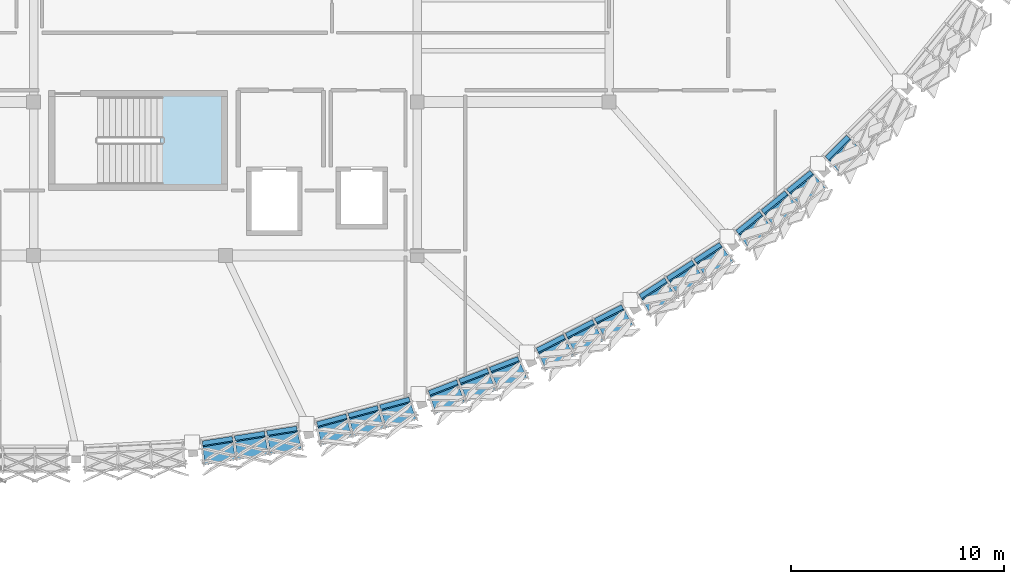
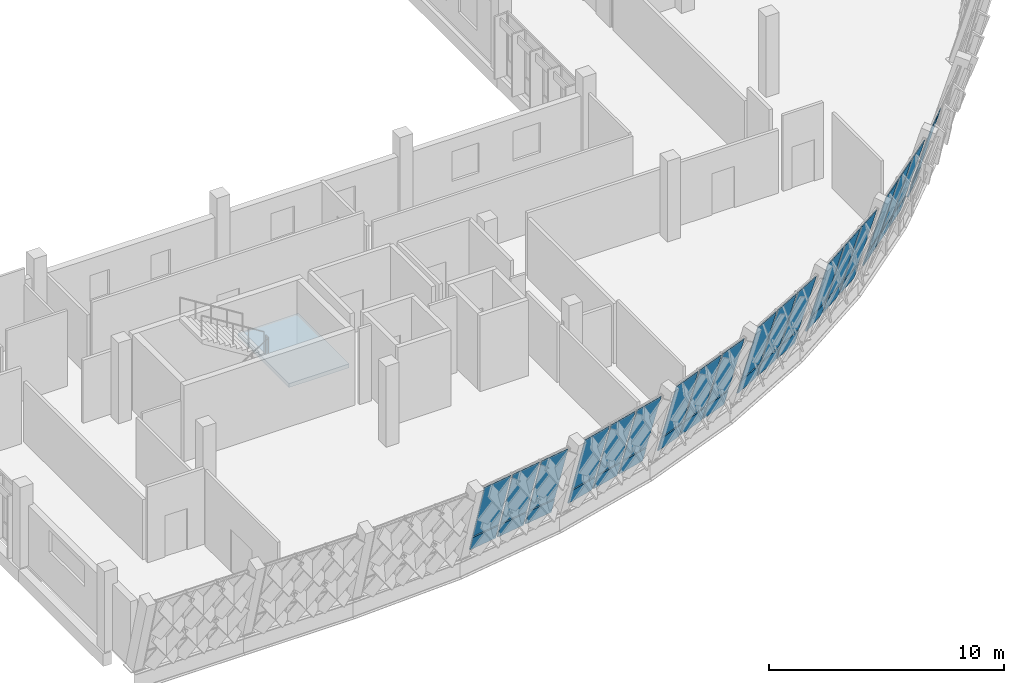
# One storey, part 152 of 182: 38 plates, 1 slab, 8 elements without a shape of their own.
"""IFC4 building model written with IfcOpenShell, lengths in metres."""

from ifc_helpers import new_model, si_unit, direction, frame, origin, place, context, subcontext, project, spatial, polyline, outline, extrude, material, layer, layer_set, type_object, element, aggregate, save


model = new_model("IFC4")

# Units and contexts
model_context = context("Model", 3, precision=1e-05, world=origin(), true_north=direction((0.0, 1.0)))
body_context = subcontext(model_context, "Body", "Model", "MODEL_VIEW")
ifc_project = project(units=[si_unit("LENGTHUNIT", "METRE"), si_unit("AREAUNIT", "SQUARE_METRE"), si_unit("VOLUMEUNIT", "CUBIC_METRE"), si_unit("PLANEANGLEUNIT", "RADIAN"), si_unit("MASSUNIT", "GRAM", prefix="KILO")], contexts=[model_context])

# Site, building, storey
site_placement = place(None, origin())
site = spatial("IfcSite", under=ifc_project, at=site_placement, CompositionType="ELEMENT")
building_placement = place(site_placement, origin())
building = spatial("IfcBuilding", under=site, at=building_placement, Name="Chiffa Square Polytechnic", CompositionType="ELEMENT")
storey_placement = place(building_placement, frame((0.0, 0.0, 9.60009765625)))
storey = spatial("IfcBuildingStorey", under=building, at=storey_placement, Name="L02", CompositionType="ELEMENT", Elevation=9.60009765625)

# Curtain wall, plate
ifc_material_1 = material(Name="Aluminium EN AW-6060 T66 and glulam shading", Category="wood")
curtain_wall_type_1 = type_object("IfcCurtainWallType", Name="CW-PROW-LEAN-300", PredefinedType="USERDEFINED", material=ifc_material_1)
curtain_wall_1_placement = place(storey_placement, origin())
curtain_wall_1 = element("IfcCurtainWall", 1, at=curtain_wall_1_placement, inside=storey, type_object=curtain_wall_type_1, Name="Outward-leaning diamond-fin prow curtain wall CW-V1-L02-036", ObjectType="CURTAIN WALL", PredefinedType="USERDEFINED")
ifc_material_2 = material(Name="Double glazing", Category="glass")
ifc_layer_1 = layer(ifc_material_2, 0.0458984375, Name="Double glazing")
ifc_layer_set_1 = layer_set([ifc_layer_1], Name="Double glazing")
plate_type_1 = type_object("IfcPlateType", Name="CWP-GLZ-130X110", PredefinedType="CURTAIN_PANEL", material=ifc_layer_set_1)
plate_1_placement = place(storey_placement, frame((158.50439453125, 18.864501953125, 0.8779296875), z_axis=(-0.680477001992, 0.680477001992, 0.271849405958), x_axis=(0.707106781187, 0.707106781187, 0.0)))
plate_1 = element("IfcPlate", 2, at=plate_1_placement, type_object=plate_type_1, Name="Leaning prow curtain panel CW-V1-L02-036-PN01", PredefinedType="CURTAIN_PANEL", context=body_context, shape_type="SweptSolid", body=[
    extrude(outline(polyline([(0.0, 0.0), (1.4259526397951374, 0.0), (1.4098977250855795, -3.1351606031055397), (-0.0433310063666561, -3.1351606031055397), (0.0, 0.0)])), origin(), (0.0, 0.0, -1.0), 0.0458984375),
])

# Curtain wall, plates
curtain_wall_type_2 = type_object("IfcCurtainWallType", Name="CW-PROW-LEAN-150", PredefinedType="USERDEFINED", material=ifc_material_1)
curtain_wall_2_placement = place(storey_placement, origin())
curtain_wall_2 = element("IfcCurtainWall", 3, at=curtain_wall_2_placement, inside=storey, type_object=curtain_wall_type_2, Name="Outward-leaning diamond-fin prow curtain wall CW-V1-L02-035", ObjectType="CURTAIN WALL", PredefinedType="USERDEFINED")
ifc_layer_2 = layer(ifc_material_2, 0.0439453125, Name="Double glazing")
ifc_layer_set_2 = layer_set([ifc_layer_2], Name="Double glazing")
plate_type_2 = type_object("IfcPlateType", Name="CWP-GLZ-132X114", PredefinedType="CURTAIN_PANEL", material=ifc_layer_set_2)
plate_2_placement = place(storey_placement, frame((154.287841796875, 15.3857421875, 0.8779296875), z_axis=(-0.605442106431, 0.748009482079, 0.271885399535), x_axis=(0.777289585327, 0.629142988935, -3.962919e-06)))
plate_2 = element("IfcPlate", 4, at=plate_2_placement, type_object=plate_type_2, Name="Leaning prow curtain panel CW-V1-L02-035-PN01", PredefinedType="CURTAIN_PANEL", context=body_context, shape_type="SweptSolid", body=[
    extrude(outline(polyline([(0.0, 0.0), (1.4256808518426856, 2.7755575615628914e-17), (1.4097447048321408, -3.1351995362760876), (-0.04354128268515041, -3.1351876805547727), (0.0, 0.0)])), origin(), (0.0, 0.0, -1.0), 0.0439453125),
])
plate_3_placement = place(storey_placement, frame((155.48193359375, 16.352294921875, 0.8779296875), z_axis=(-0.605533326719, 0.747939749243, 0.271874091695), x_axis=(0.777220089504, 0.62922883892, 2.7241992e-05)))
plate_3 = element("IfcPlate", 5, at=plate_3_placement, type_object=plate_type_2, Name="Leaning prow curtain panel CW-V1-L02-035-PN02", PredefinedType="CURTAIN_PANEL", context=body_context, shape_type="SweptSolid", body=[
    extrude(outline(polyline([(0.0, 0.0), (1.4256808448370735, 0.0), (1.4397534218209416, -3.1351425670702593), (-0.013496423062305272, -3.135224064660696), (0.0, 0.0)])), origin(), (0.0, 0.0, -1.0), 0.0439453125),
])
plate_4_placement = place(storey_placement, frame((156.676025390625, 17.31884765625, 0.8779296875), z_axis=(-0.605490344361, 0.747968260972, 0.27189138174), x_axis=(0.777251181328, 0.629190432975, 1.3282748e-05)))
plate_4 = element("IfcPlate", 6, at=plate_4_placement, type_object=plate_type_2, Name="Leaning prow curtain panel CW-V1-L02-035-PN03", PredefinedType="CURTAIN_PANEL", context=body_context, shape_type="SweptSolid", body=[
    extrude(outline(polyline([(0.0, 0.0), (1.4256808502928435, 0.0), (1.4697982900443691, -3.1351789503569187), (0.01635869582303601, -3.1352186900632653), (0.0, 0.0)])), origin(), (0.0, 0.0, -1.0), 0.0439453125),
])

curtain_wall_3_placement = place(storey_placement, origin())
curtain_wall_3 = element("IfcCurtainWall", 7, at=curtain_wall_3_placement, inside=storey, type_object=curtain_wall_type_1, Name="Outward-leaning diamond-fin prow curtain wall CW-V1-L02-034", ObjectType="CURTAIN WALL", PredefinedType="USERDEFINED")
ifc_layer_3 = layer(ifc_material_2, 0.0439453125, Name="Double glazing")
ifc_layer_set_3 = layer_set([ifc_layer_3], Name="Double glazing")
plate_type_3 = type_object("IfcPlateType", Name="CWP-GLZ-134X118", PredefinedType="CURTAIN_PANEL", material=ifc_layer_set_3)
plate_5_placement = place(storey_placement, frame((149.7314453125, 12.365966796875, 0.8779296875), z_axis=(-0.524167780908, 0.807020891391, 0.271965840348), x_axis=(0.838635258647, 0.544693402163, 2.4369121e-05)))
plate_5 = element("IfcPlate", 8, at=plate_5_placement, type_object=plate_type_3, Name="Leaning prow curtain panel CW-V1-L02-034-PN01", PredefinedType="CURTAIN_PANEL", context=body_context, shape_type="SweptSolid", body=[
    extrude(outline(polyline([(0.0, 0.0), (1.4255180372250094, 5.551115123125783e-17), (1.4092597129214197, -3.135232099984918), (-0.04408694586309942, -3.1353050033412684), (0.0, 0.0)])), origin(), (0.0, 0.0, -1.0), 0.0439453125),
])
plate_6_placement = place(storey_placement, frame((151.019775390625, 13.20263671875, 0.8779296875), z_axis=(-0.524174762698, 0.807031640716, 0.271920482925), x_axis=(0.838635257396, 0.544693404089, 2.4365382e-05)))
plate_6 = element("IfcPlate", 9, at=plate_6_placement, type_object=plate_type_3, Name="Leaning prow curtain panel CW-V1-L02-034-PN02", PredefinedType="CURTAIN_PANEL", context=body_context, shape_type="SweptSolid", body=[
    extrude(outline(polyline([(0.0, 0.0), (1.4255180372248568, 2.7755575615628914e-17), (1.4390534629438188, -3.1351895911160135), (-0.014293195841160653, -3.1352624823138213), (0.0, 0.0)])), origin(), (0.0, 0.0, -1.0), 0.0439453125),
])
plate_7_placement = place(storey_placement, frame((152.30810546875, 14.039306640625, 0.8779296875), z_axis=(-0.524181743509, 0.807042388534, 0.27187512369), x_axis=(0.838629473778, 0.544702309098, -1.3215081e-05)))
plate_7 = element("IfcPlate", 10, at=plate_7_placement, type_object=plate_type_3, Name="Leaning prow curtain panel CW-V1-L02-034-PN03", PredefinedType="CURTAIN_PANEL", context=body_context, shape_type="SweptSolid", body=[
    extrude(outline(polyline([(0.0, 0.0), (1.4256510201001353, -2.7755575615628914e-17), (1.4687247920494213, -3.1352044419519194), (0.015511115488382576, -3.135164908391911), (0.0, 0.0)])), origin(), (0.0, 0.0, -1.0), 0.0439453125),
])

curtain_wall_4_placement = place(storey_placement, origin())
curtain_wall_4 = element("IfcCurtainWall", 11, at=curtain_wall_4_placement, inside=storey, type_object=curtain_wall_type_2, Name="Outward-leaning diamond-fin prow curtain wall CW-V1-L02-033", ObjectType="CURTAIN WALL", PredefinedType="USERDEFINED")
ifc_layer_4 = layer(ifc_material_2, 0.0419921875, Name="Double glazing")
ifc_layer_set_4 = layer_set([ifc_layer_4], Name="Double glazing")
plate_type_4 = type_object("IfcPlateType", Name="CWP-GLZ-136X122", PredefinedType="CURTAIN_PANEL", material=ifc_layer_set_4)
plate_8_placement = place(storey_placement, frame((144.883544921875, 9.839111328125, 0.8779296875), z_axis=(-0.436957792178, 0.857351171319, 0.272060391995), x_axis=(0.890961853407, 0.454078159402, 3.0443776e-05)))
plate_8 = element("IfcPlate", 12, at=plate_8_placement, type_object=plate_type_4, Name="Leaning prow curtain panel CW-V1-L02-033-PN01", PredefinedType="CURTAIN_PANEL", context=body_context, shape_type="SweptSolid", body=[
    extrude(outline(polyline([(0.0, 0.0), (1.4256434872689823, 0.0), (1.409787129687255, -3.1353102677510685), (-0.04370139899834349, -3.135401355203045), (0.0, 0.0)])), origin(), (0.0, 0.0, -1.0), 0.0419921875),
])
plate_9_placement = place(storey_placement, frame((146.25244140625, 10.53662109375, 0.8779296875), z_axis=(-0.436934771643, 0.857387596718, 0.271982562537), x_axis=(0.890975527477, 0.454051329077, 7.75099e-07)))
plate_9 = element("IfcPlate", 13, at=plate_9_placement, type_object=plate_type_4, Name="Leaning prow curtain panel CW-V1-L02-033-PN02", PredefinedType="CURTAIN_PANEL", context=body_context, shape_type="SweptSolid", body=[
    extrude(outline(polyline([(0.0, 0.0), (1.4259718676030744, -2.7755575615628914e-17), (1.4394235554065609, -3.1352820254285567), (-0.013954115548715867, -3.13528434464016), (0.0, 0.0)])), origin(), (0.0, 0.0, -1.0), 0.0419921875),
])
plate_10_placement = place(storey_placement, frame((147.621337890625, 11.234130859375, 0.8779296875), z_axis=(-0.436965324568, 0.857365950557, 0.27200171314), x_axis=(0.890959338372, 0.454083095093, 1.0852916e-05)))
plate_10 = element("IfcPlate", 14, at=plate_10_placement, type_object=plate_type_4, Name="Leaning prow curtain panel CW-V1-L02-033-PN03", PredefinedType="CURTAIN_PANEL", context=body_context, shape_type="SweptSolid", body=[
    extrude(outline(polyline([(0.0, 0.0), (1.4259718664737742, 0.0), (1.469012956023013, -3.1352842531450755), (0.015852805284441156, -3.135316724393722), (0.0, 0.0)])), origin(), (0.0, 0.0, -1.0), 0.0419921875),
])

curtain_wall_5_placement = place(storey_placement, origin())
curtain_wall_5 = element("IfcCurtainWall", 15, at=curtain_wall_5_placement, inside=storey, type_object=curtain_wall_type_1, Name="Outward-leaning diamond-fin prow curtain wall CW-V1-L02-032", ObjectType="CURTAIN WALL", PredefinedType="USERDEFINED")
ifc_layer_5 = layer(ifc_material_2, 0.0419921875, Name="Double glazing")
ifc_layer_set_5 = layer_set([ifc_layer_5], Name="Double glazing")
plate_type_5 = type_object("IfcPlateType", Name="CWP-GLZ-138X126", PredefinedType="CURTAIN_PANEL", material=ifc_layer_set_5)
plate_11_placement = place(storey_placement, frame((139.79833984375, 7.83251953125, 0.8779296875), z_axis=(-0.344888395238, 0.898406936353, 0.271876758005), x_axis=(0.93356828249, 0.358399581534, -4.3413947e-05)))
plate_11 = element("IfcPlate", 16, at=plate_11_placement, type_object=plate_type_5, Name="Leaning prow curtain panel CW-V1-L02-032-PN01", PredefinedType="CURTAIN_PANEL", context=body_context, shape_type="SweptSolid", body=[
    extrude(outline(polyline([(0.0, 0.0), (1.4258552245771794, 0.0), (1.4096016896295258, -3.1352493718031895), (-0.04405367896773785, -3.135119467665106), (0.0, 0.0)])), origin(), (0.0, 0.0, -1.0), 0.0419921875),
])
plate_12_placement = place(storey_placement, frame((141.23291015625, 8.38330078125, 0.8779296875), z_axis=(-0.344812868855, 0.898422739934, 0.271920329953), x_axis=(0.933598786162, 0.358320116627, -2.2304835e-05)))
plate_12 = element("IfcPlate", 17, at=plate_12_placement, type_object=plate_type_5, Name="Leaning prow curtain panel CW-V1-L02-032-PN02", PredefinedType="CURTAIN_PANEL", context=body_context, shape_type="SweptSolid", body=[
    extrude(outline(polyline([(0.0, 0.0), (1.4257677212536128, -2.7755575615628914e-17), (1.439711470014159, -3.1352592560448618), (-0.01394391598173896, -3.1351925162166046), (0.0, 0.0)])), origin(), (0.0, 0.0, -1.0), 0.0419921875),
])
plate_13_placement = place(storey_placement, frame((142.667236328125, 8.93408203125, 0.8779296875), z_axis=(-0.344676145486, 0.898442222542, 0.272029276892), x_axis=(0.933646822369, 0.358194931905, -4.2873121e-05)))
plate_13 = element("IfcPlate", 18, at=plate_13_placement, type_object=plate_type_5, Name="Leaning prow curtain panel CW-V1-L02-032-PN03", PredefinedType="CURTAIN_PANEL", context=body_context, shape_type="SweptSolid", body=[
    extrude(outline(polyline([(0.0, 0.0), (1.4259956335094124, 2.7755575615628914e-17), (1.4698777793857096, -3.1353916978925427), (0.01608189872352269, -3.135263393763494), (0.0, 0.0)])), origin(), (0.0, 0.0, -1.0), 0.0419921875),
])

curtain_wall_6_placement = place(storey_placement, origin())
curtain_wall_6 = element("IfcCurtainWall", 19, at=curtain_wall_6_placement, inside=storey, type_object=curtain_wall_type_2, Name="Outward-leaning diamond-fin prow curtain wall CW-V1-L02-031", ObjectType="CURTAIN WALL", PredefinedType="USERDEFINED")
ifc_layer_6 = layer(ifc_material_2, 0.0400390625, Name="Double glazing")
ifc_layer_set_6 = layer_set([ifc_layer_6], Name="Double glazing")
plate_type_6 = type_object("IfcPlateType", Name="CWP-GLZ-140X130", PredefinedType="CURTAIN_PANEL", material=ifc_layer_set_6)
plate_14_placement = place(storey_placement, frame((134.531005859375, 6.368408203125, 0.8779296875), z_axis=(-0.249223338282, 0.929509236134, 0.271846110137), x_axis=(0.965883772952, 0.258975939321, 9.22406e-07)))
plate_14 = element("IfcPlate", 20, at=plate_14_placement, type_object=plate_type_6, Name="Leaning prow curtain panel CW-V1-L02-031-PN01", PredefinedType="CURTAIN_PANEL", context=body_context, shape_type="SweptSolid", body=[
    extrude(outline(polyline([(0.0, 0.0), (1.4263458806056408, 1.3877787807814457e-17), (1.410155526604959, -3.135156218334767), (-0.04349156242820217, -3.135158978815044), (0.0, 0.0)])), origin(), (0.0, 0.0, -1.0), 0.0400390625),
])
plate_15_placement = place(storey_placement, frame((136.015380859375, 6.766357421875, 0.8779296875), z_axis=(-0.249094033762, 0.92955398842, 0.271811598273), x_axis=(0.965920094076, 0.258840437026, -4.51812e-06)))
plate_15 = element("IfcPlate", 21, at=plate_15_placement, type_object=plate_type_6, Name="Leaning prow curtain panel CW-V1-L02-031-PN02", PredefinedType="CURTAIN_PANEL", context=body_context, shape_type="SweptSolid", body=[
    extrude(outline(polyline([(0.0, 0.0), (1.4260468534082196, 1.3877787807814457e-17), (1.4398086376136743, -3.1351325713054026), (-0.013775242876585731, -3.1351190517859497), (0.0, 0.0)])), origin(), (0.0, 0.0, -1.0), 0.0400390625),
])
plate_16_placement = place(storey_placement, frame((137.499755859375, 7.164306640625, 0.8779296875), z_axis=(-0.249092237597, 0.929547285603, 0.271836165725), x_axis=(0.965920094016, 0.258840437249, -4.518495e-06)))
plate_16 = element("IfcPlate", 22, at=plate_16_placement, type_object=plate_type_6, Name="Leaning prow curtain panel CW-V1-L02-031-PN03", PredefinedType="CURTAIN_PANEL", context=body_context, shape_type="SweptSolid", body=[
    extrude(outline(polyline([(0.0, 0.0), (1.4260468534082225, -2.7755575615628914e-17), (1.4693586129812137, -3.135155317553838), (0.015774732490962354, -3.135141796812435), (0.0, 0.0)])), origin(), (0.0, 0.0, -1.0), 0.0400390625),
])

curtain_wall_7_placement = place(storey_placement, origin())
curtain_wall_7 = element("IfcCurtainWall", 23, at=curtain_wall_7_placement, inside=storey, type_object=curtain_wall_type_1, Name="Outward-leaning diamond-fin prow curtain wall CW-V1-L02-030", ObjectType="CURTAIN WALL", PredefinedType="USERDEFINED")
ifc_layer_7 = layer(ifc_material_2, 0.0400390625, Name="Double glazing")
ifc_layer_set_7 = layer_set([ifc_layer_7], Name="Double glazing")
plate_type_7 = type_object("IfcPlateType", Name="CWP-GLZ-144X134", PredefinedType="CURTAIN_PANEL", material=ifc_layer_set_7)
plate_17_placement = place(storey_placement, frame((129.140625, 5.46337890625, 0.8779296875), z_axis=(-0.150655430233, 0.950451322047, 0.271928714482), x_axis=(0.987669511965, 0.15655329797, 5.465502e-06)))
plate_17 = element("IfcPlate", 24, at=plate_17_placement, type_object=plate_type_7, Name="Leaning prow curtain panel CW-V1-L02-030-PN01", PredefinedType="CURTAIN_PANEL", context=body_context, shape_type="SweptSolid", body=[
    extrude(outline(polyline([(0.0, 0.0), (1.4255321752553107, 6.938893903907228e-18), (1.4098080686335035, -3.1352255972641414), (-0.0434186731998152, -3.135241947236984), (0.0, 0.0)])), origin(), (0.0, 0.0, -1.0), 0.0400390625),
])
plate_18_placement = place(storey_placement, frame((130.657958984375, 5.703857421875, 0.8779296875), z_axis=(-0.150658514152, 0.950470777794, 0.271858994099), x_axis=(0.987669511841, 0.156553298752, 5.464213e-06)))
plate_18 = element("IfcPlate", 25, at=plate_18_placement, type_object=plate_type_7, Name="Leaning prow curtain panel CW-V1-L02-030-PN02", PredefinedType="CURTAIN_PANEL", context=body_context, shape_type="SweptSolid", body=[
    extrude(outline(polyline([(0.0, 0.0), (1.4255321752552987, 0.0), (1.4395081147017657, -3.135161253731587), (-0.013718627131588815, -3.135177599512425), (0.0, 0.0)])), origin(), (0.0, 0.0, -1.0), 0.0400390625),
])
plate_19_placement = place(storey_placement, frame((132.175048828125, 5.9443359375, 0.8779296875), z_axis=(-0.150657948275, 0.950467207808, 0.271871788722), x_axis=(0.987669511864, 0.156553298609, 5.464449e-06)))
plate_19 = element("IfcPlate", 26, at=plate_19_placement, type_object=plate_type_7, Name="Leaning prow curtain panel CW-V1-L02-030-PN03", PredefinedType="CURTAIN_PANEL", context=body_context, shape_type="SweptSolid", body=[
    extrude(outline(polyline([(0.0, 0.0), (1.425532175255301, -2.0816681711721685e-17), (1.469411075405064, -3.1351728593477515), (0.01618433357171652, -3.1351892058978788), (0.0, 0.0)])), origin(), (0.0, 0.0, -1.0), 0.0400390625),
])

# Plate
ifc_material_3 = material(Name="Aluminium insulated spandrel", Category="aluminium")
ifc_layer_8 = layer(ifc_material_3, 0.070068359375, Name="Aluminium insulated spandrel")
ifc_layer_set_8 = layer_set([ifc_layer_8], Name="Aluminium insulated spandrel")
plate_type_8 = type_object("IfcPlateType", Name="CWP-SPN-138X074", PredefinedType="SHEET", material=ifc_layer_set_8)
plate_20_placement = place(storey_placement, frame((158.347412109375, 19.038330078125, 0.0498046875), z_axis=(-0.680501398248, 0.680501398248, 0.271727241855), x_axis=(0.707100425386, 0.707113136213, -3.1832418e-05)))
plate_20 = element("IfcPlate", 27, at=plate_20_placement, type_object=plate_type_8, Name="Leaning prow curtain panel CW-V1-L02-036-SP01", PredefinedType="SHEET", context=body_context, shape_type="SweptSolid", body=[
    extrude(outline(polyline([(0.0, 0.0), (1.4181841334534167, 0.0), (1.4143596538736236, -0.8024547356228564), (-0.011075083115623576, -0.8023606773498738), (0.0, 0.0)])), origin(), (0.0, 0.0, -1.0), 0.070068359375),
])

aggregate(curtain_wall_1, [plate_20, plate_1])

ifc_layer_9 = layer(ifc_material_3, 0.068115234375, Name="Aluminium insulated spandrel")
ifc_layer_set_9 = layer_set([ifc_layer_9], Name="Aluminium insulated spandrel")
plate_type_9 = type_object("IfcPlateType", Name="CWP-SPN-140X076", PredefinedType="SHEET", material=ifc_layer_set_9)
plate_21_placement = place(storey_placement, frame((154.150146484375, 15.5751953125, 0.0498046875), z_axis=(-0.605470619285, 0.748036387544, 0.271747846529), x_axis=(0.777284950267, 0.629148715306, -1.0789511e-05)))
plate_21 = element("IfcPlate", 28, at=plate_21_placement, type_object=plate_type_9, Name="Leaning prow curtain panel CW-V1-L02-035-SP01", PredefinedType="SHEET", context=body_context, shape_type="SweptSolid", body=[
    extrude(outline(polyline([(0.0, 0.0), (1.4178646658290415, -8.326672684688674e-17), (1.4137497894091207, -0.8024286535937225), (-0.011244327282142698, -0.8023967811297554), (0.0, 0.0)])), origin(), (0.0, 0.0, -1.0), 0.068115234375),
])

plate_22_placement = place(storey_placement, frame((155.337890625, 16.53662109375, 0.0498046875), z_axis=(-0.605422529986, 0.747976975007, 0.272018391004), x_axis=(0.777284946449, 0.629148720024, -1.0799395e-05)))
plate_22 = element("IfcPlate", 29, at=plate_22_placement, type_object=plate_type_9, Name="Leaning prow curtain panel CW-V1-L02-035-SP02", PredefinedType="SHEET", context=body_context, shape_type="SweptSolid", body=[
    extrude(outline(polyline([(0.0, 0.0), (1.417864665829219, -2.7755575615628914e-17), (1.4214123657414495, -0.8024924917949837), (-0.003581750949280497, -0.8024605875996924), (0.0, 0.0)])), origin(), (0.0, 0.0, -1.0), 0.068115234375),
])

plate_23_placement = place(storey_placement, frame((156.525390625, 17.497802734375, 0.0498046875), z_axis=(-0.605458087209, 0.748001447443, 0.271871917007), x_axis=(0.77728257417, 0.629151650603, 2.0874775e-05)))
plate_23 = element("IfcPlate", 30, at=plate_23_placement, type_object=plate_type_9, Name="Leaning prow curtain panel CW-V1-L02-035-SP03", PredefinedType="SHEET", context=body_context, shape_type="SweptSolid", body=[
    extrude(outline(polyline([(0.0, 0.0), (1.4180544320505948, 2.7755575615628914e-17), (1.429405789134781, -0.8024110166487689), (0.004258071441317905, -0.8024726909119982), (0.0, 0.0)])), origin(), (0.0, 0.0, -1.0), 0.068115234375),
])

aggregate(curtain_wall_2, [plate_21, plate_2, plate_22, plate_3, plate_23, plate_4])

ifc_layer_10 = layer(ifc_material_3, 0.06591796875, Name="Aluminium insulated spandrel")
ifc_layer_set_10 = layer_set([ifc_layer_10], Name="Aluminium insulated spandrel")
plate_type_10 = type_object("IfcPlateType", Name="CWP-SPN-144X078", PredefinedType="SHEET", material=ifc_layer_set_10)
plate_24_placement = place(storey_placement, frame((149.6142578125, 12.568603515625, 0.0498046875), z_axis=(-0.524185205743, 0.807061756155, 0.271810948699), x_axis=(0.838634126977, 0.544695144963, -1.1102825e-05)))
plate_24 = element("IfcPlate", 31, at=plate_24_placement, type_object=plate_type_10, Name="Leaning prow curtain panel CW-V1-L02-034-SP01", PredefinedType="SHEET", context=body_context, shape_type="SweptSolid", body=[
    extrude(outline(polyline([(0.0, 0.0), (1.4180669607343424, 2.7755575615628914e-17), (1.4137643666598247, -0.8024439732799693), (-0.01121119910915961, -0.8024111725503443), (0.0, 0.0)])), origin(), (0.0, 0.0, -1.0), 0.06591796875),
])

plate_25_placement = place(storey_placement, frame((150.8955078125, 13.40087890625, 0.0498046875), z_axis=(-0.524165699391, 0.8070317232, 0.271937708549), x_axis=(0.838634125384, 0.544695147416, -1.110759e-05)))
plate_25 = element("IfcPlate", 32, at=plate_25_placement, type_object=plate_type_10, Name="Leaning prow curtain panel CW-V1-L02-034-SP02", PredefinedType="SHEET", context=body_context, shape_type="SweptSolid", body=[
    extrude(outline(polyline([(0.0, 0.0), (1.4180669607344303, -5.551115123125783e-17), (1.421553165782723, -0.8024739324084417), (-0.003422399985996818, -0.802441116382098), (0.0, 0.0)])), origin(), (0.0, 0.0, -1.0), 0.06591796875),
])

plate_26_placement = place(storey_placement, frame((152.177001953125, 14.233154296875, 0.0498046875), z_axis=(-0.524169810547, 0.80703805294, 0.271910997973), x_axis=(0.83863412572, 0.544695146899, -1.1106586e-05)))
plate_26 = element("IfcPlate", 33, at=plate_26_placement, type_object=plate_type_10, Name="Leaning prow curtain panel CW-V1-L02-034-SP03", PredefinedType="SHEET", context=body_context, shape_type="SweptSolid", body=[
    extrude(outline(polyline([(0.0, 0.0), (1.4180669607344119, 0.0), (1.4291372254732888, -0.8024677245133985), (0.0041616597045133815, -0.8024349117103482), (0.0, 0.0)])), origin(), (0.0, 0.0, -1.0), 0.06591796875),
])

aggregate(curtain_wall_3, [plate_24, plate_5, plate_25, plate_6, plate_26, plate_7])

ifc_layer_11 = layer(ifc_material_3, 0.06396484375, Name="Aluminium insulated spandrel")
ifc_layer_set_11 = layer_set([ifc_layer_11], Name="Aluminium insulated spandrel")
plate_type_11 = type_object("IfcPlateType", Name="CWP-SPN-146X082", PredefinedType="SHEET", material=ifc_layer_set_11)
plate_27_placement = place(storey_placement, frame((144.787841796875, 10.052978515625, 0.0498046875), z_axis=(-0.43695892903, 0.857394548209, 0.271921832595), x_axis=(0.890966116575, 0.454069795396, -5.027099e-06)))
plate_27 = element("IfcPlate", 34, at=plate_27_placement, type_object=plate_type_11, Name="Leaning prow curtain panel CW-V1-L02-033-SP01", PredefinedType="SHEET", context=body_context, shape_type="SweptSolid", body=[
    extrude(outline(polyline([(0.0, 0.0), (1.4183292821396534, -5.551115123125783e-17), (1.4142471862820374, -0.8024611709838583), (-0.01117878198336887, -0.802446315374674), (0.0, 0.0)])), origin(), (0.0, 0.0, -1.0), 0.06396484375),
])

plate_28_placement = place(storey_placement, frame((146.149658203125, 10.746826171875, 0.0498046875), z_axis=(-0.436991872527, 0.857376566688, 0.271925589528), x_axis=(0.89094972282, 0.454101961436, 5.174507e-06)))
plate_28 = element("IfcPlate", 35, at=plate_28_placement, type_object=plate_type_11, Name="Leaning prow curtain panel CW-V1-L02-033-SP02", PredefinedType="SHEET", context=body_context, shape_type="SweptSolid", body=[
    extrude(outline(polyline([(0.0, 0.0), (1.4183292821252378, 0.0), (1.4216722512585587, -0.8024470237734564), (-0.0035361979978243436, -0.8024623138347726), (0.0, 0.0)])), origin(), (0.0, 0.0, -1.0), 0.06396484375),
])

plate_29_placement = place(storey_placement, frame((147.51123046875, 11.44091796875, 0.0498046875), z_axis=(-0.436933738391, 0.857424622406, 0.271867477178), x_axis=(0.890987037465, 0.454028741854, 2.5286554e-05)))
plate_29 = element("IfcPlate", 36, at=plate_29_placement, type_object=plate_type_11, Name="Leaning prow curtain panel CW-V1-L02-033-SP03", PredefinedType="SHEET", context=body_context, shape_type="SweptSolid", body=[
    extrude(outline(polyline([(0.0, 0.0), (1.4182184321750535, 0.0), (1.4293482967121598, -0.8024034193468765), (0.004139855181006079, -0.8024781339636298), (0.0, 0.0)])), origin(), (0.0, 0.0, -1.0), 0.06396484375),
])

aggregate(curtain_wall_4, [plate_27, plate_8, plate_28, plate_9, plate_29, plate_10])

ifc_layer_12 = layer(ifc_material_3, 0.06201171875, Name="Aluminium insulated spandrel")
ifc_layer_set_12 = layer_set([ifc_layer_12], Name="Aluminium insulated spandrel")
plate_type_12 = type_object("IfcPlateType", Name="CWP-SPN-148X084", PredefinedType="SHEET", material=ifc_layer_set_12)
plate_30_placement = place(storey_placement, frame((139.7255859375, 8.055419921875, 0.0498046875), z_axis=(-0.344930545515, 0.898389162138, 0.271882018758), x_axis=(0.933557816709, 0.358426843867, 2.138809e-05)))
plate_30 = element("IfcPlate", 37, at=plate_30_placement, type_object=plate_type_12, Name="Leaning prow curtain panel CW-V1-L02-032-SP01", PredefinedType="SHEET", context=body_context, shape_type="SweptSolid", body=[
    extrude(outline(polyline([(0.0, 0.0), (1.4184234098534165, 0.0), (1.4142219152143025, -0.8024129713389677), (-0.011089970839545328, -0.802476174219358), (0.0, 0.0)])), origin(), (0.0, 0.0, -1.0), 0.06201171875),
])

plate_31_placement = place(storey_placement, frame((141.152587890625, 8.60302734375, 0.0498046875), z_axis=(-0.345012286585, 0.898386878431, 0.271785832538), x_axis=(0.933525319081, 0.358511475945, -1.582435e-05)))
plate_31 = element("IfcPlate", 38, at=plate_31_placement, type_object=plate_type_12, Name="Leaning prow curtain panel CW-V1-L02-032-SP02", PredefinedType="SHEET", context=body_context, shape_type="SweptSolid", body=[
    extrude(outline(polyline([(0.0, 0.0), (1.418283010197712, 0.0), (1.421833154386318, -0.8024451273861174), (-0.003706648705368477, -0.8023983655176122), (0.0, 0.0)])), origin(), (0.0, 0.0, -1.0), 0.06201171875),
])

plate_32_placement = place(storey_placement, frame((142.579345703125, 9.15087890625, 0.0498046875), z_axis=(-0.344939796197, 0.898413256012, 0.27179065183), x_axis=(0.93355618206, 0.358431102041, 5.24572e-06)))
plate_32 = element("IfcPlate", 39, at=plate_32_placement, type_object=plate_type_12, Name="Leaning prow curtain panel CW-V1-L02-032-SP03", PredefinedType="SHEET", context=body_context, shape_type="SweptSolid", body=[
    extrude(outline(polyline([(0.0, 0.0), (1.41819549066404, 2.7755575615628914e-17), (1.4296683500672986, -0.8024150895106672), (0.004128544163969684, -0.8024305904625011), (0.0, 0.0)])), origin(), (0.0, 0.0, -1.0), 0.06201171875),
])

aggregate(curtain_wall_5, [plate_30, plate_11, plate_31, plate_12, plate_32, plate_13])

ifc_layer_13 = layer(ifc_material_3, 0.06005859375, Name="Aluminium insulated spandrel")
ifc_layer_set_13 = layer_set([ifc_layer_13], Name="Aluminium insulated spandrel")
plate_type_13 = type_object("IfcPlateType", Name="CWP-SPN-150X080", PredefinedType="SHEET", material=ifc_layer_set_13)
plate_33_placement = place(storey_placement, frame((134.482177734375, 6.597412109375, 0.0498046875), z_axis=(-0.249155158609, 0.929540399426, 0.271802047038), x_axis=(0.965904382841, 0.258899059658, 1.0759235e-05)))
plate_33 = element("IfcPlate", 40, at=plate_33_placement, type_object=plate_type_13, Name="Leaning prow curtain panel CW-V1-L02-031-SP01", PredefinedType="SHEET", context=body_context, shape_type="SweptSolid", body=[
    extrude(outline(polyline([(0.0, 0.0), (1.4184666948809077, 0.0), (1.4143744070509994, -0.8024097531403259), (-0.011200812047883434, -0.8024415499037096), (0.0, 0.0)])), origin(), (0.0, 0.0, -1.0), 0.06005859375),
])

plate_34_placement = place(storey_placement, frame((135.95849609375, 6.9931640625, 0.0498046875), z_axis=(-0.249236025009, 0.92953389241, 0.271750154918), x_axis=(0.965881319174, 0.258985090592, -1.1034815e-05)))
plate_34 = element("IfcPlate", 41, at=plate_34_placement, type_object=plate_type_13, Name="Leaning prow curtain panel CW-V1-L02-031-SP02", PredefinedType="SHEET", context=body_context, shape_type="SweptSolid", body=[
    extrude(outline(polyline([(0.0, 0.0), (1.4185299132190894, -2.7755575615628914e-17), (1.4222173420711295, -0.8024296545499495), (-0.0033578769514303595, -0.8023970431375044), (0.0, 0.0)])), origin(), (0.0, 0.0, -1.0), 0.06005859375),
])

plate_35_placement = place(storey_placement, frame((137.43505859375, 7.388916015625, 0.0498046875), z_axis=(-0.249240487663, 0.929550536023, 0.271689124348), x_axis=(0.965881319536, 0.25898508924, -1.1032534e-05)))
plate_35 = element("IfcPlate", 42, at=plate_35_placement, type_object=plate_type_13, Name="Leaning prow curtain panel CW-V1-L02-031-SP03", PredefinedType="SHEET", context=body_context, shape_type="SweptSolid", body=[
    extrude(outline(polyline([(0.0, 0.0), (1.4185299132190474, 0.0), (1.4295616895917387, -0.8024153678613205), (0.003986470569053164, -0.8023827637728569), (0.0, 0.0)])), origin(), (0.0, 0.0, -1.0), 0.06005859375),
])

aggregate(curtain_wall_6, [plate_33, plate_14, plate_34, plate_15, plate_35, plate_16])

ifc_layer_14 = layer(ifc_material_3, 0.06005859375, Name="Aluminium insulated spandrel")
ifc_layer_set_14 = layer_set([ifc_layer_14], Name="Aluminium insulated spandrel")
plate_type_14 = type_object("IfcPlateType", Name="CWP-SPN-150X095", PredefinedType="SHEET", material=ifc_layer_set_14)
plate_36_placement = place(storey_placement, frame((129.11572265625, 5.696533203125, 0.0498046875), z_axis=(-0.150643463748, 0.950466878787, 0.271880965056), x_axis=(0.987672141995, 0.156536704226, 1.2504869e-05)))
plate_36 = element("IfcPlate", 43, at=plate_36_placement, type_object=plate_type_14, Name="Leaning prow curtain panel CW-V1-L02-030-SP01", PredefinedType="SHEET", context=body_context, shape_type="SweptSolid", body=[
    extrude(outline(polyline([(0.0, 0.0), (1.4181071637619087, -1.3877787807814457e-17), (1.4139539028059434, -0.8024257810664613), (-0.011096010833162622, -0.8024627260570748), (0.0, 0.0)])), origin(), (0.0, 0.0, -1.0), 0.06005859375),
])

plate_37_placement = place(storey_placement, frame((130.625, 5.935546875, 0.0498046875), z_axis=(-0.150670087366, 0.950469558258, 0.271856843944), x_axis=(0.987667931815, 0.156563266155, 1.2488751e-05)))
plate_37 = element("IfcPlate", 44, at=plate_37_placement, type_object=plate_type_14, Name="Leaning prow curtain panel CW-V1-L02-030-SP02", PredefinedType="SHEET", context=body_context, shape_type="SweptSolid", body=[
    extrude(outline(polyline([(0.0, 0.0), (1.4178660316951621, 1.3877787807814457e-17), (1.421373035895239, -0.8024200263729853), (-0.0034357493208175853, -0.8024569172264577), (0.0, 0.0)])), origin(), (0.0, 0.0, -1.0), 0.06005859375),
])

plate_38_placement = place(storey_placement, frame((132.134033203125, 6.1748046875, 0.0498046875), z_axis=(-0.150484435218, 0.950506300869, 0.271831210065), x_axis=(0.987698685152, 0.15636913759, 1.2611724e-05)))
plate_38 = element("IfcPlate", 45, at=plate_38_placement, type_object=plate_type_14, Name="Leaning prow curtain panel CW-V1-L02-030-SP03", PredefinedType="SHEET", context=body_context, shape_type="SweptSolid", body=[
    extrude(outline(polyline([(0.0, 0.0), (1.4180689779411018, 0.0), (1.4292850795631522, -0.8024137032948214), (0.004273374846611725, -0.8024509624381175), (0.0, 0.0)])), origin(), (0.0, 0.0, -1.0), 0.06005859375),
])

aggregate(curtain_wall_7, [plate_36, plate_17, plate_37, plate_18, plate_38, plate_19])

# Stair, slab
ifc_material_4 = material(Name="Concrete C35/45", Category="concrete")
stair_type = type_object("IfcStairType", Name="STAIR-DOG-1950", PredefinedType="HALF_TURN_STAIR", material=ifc_material_4)
stair_placement = place(storey_placement, origin())
stair = element("IfcStair", 46, at=stair_placement, inside=storey, type_object=stair_type, Name="L02 Enclosed exit stair ST-V1A", PredefinedType="HALF_TURN_STAIR")
ifc_layer_15 = layer(ifc_material_4, 0.199951171875, Name="Concrete C35/45")
ifc_layer_set_15 = layer_set([ifc_layer_15], Name="Concrete C35/45")
slab_type = type_object("IfcSlabType", Name="SLB-LND-200", PredefinedType="LANDING", material=ifc_layer_set_15)
slab_placement = place(storey_placement, frame((0.0, 0.0, 1.89990234375)))
slab = element("IfcSlab", 47, at=slab_placement, type_object=slab_type, Name="ST-V1A landing 1", PredefinedType="LANDING", context=body_context, shape_type="SweptSolid", body=[
    extrude(outline(polyline([(127.159912109375, 17.6298828125), (127.159912109375, 21.969970703125), (130.1201171875, 21.969970703125), (130.1201171875, 17.6298828125), (127.159912109375, 17.6298828125)])), origin(), (0.0, 0.0, 1.0), 0.199951171875),
])
aggregate(stair, [slab])

save(model, "model.ifc")
